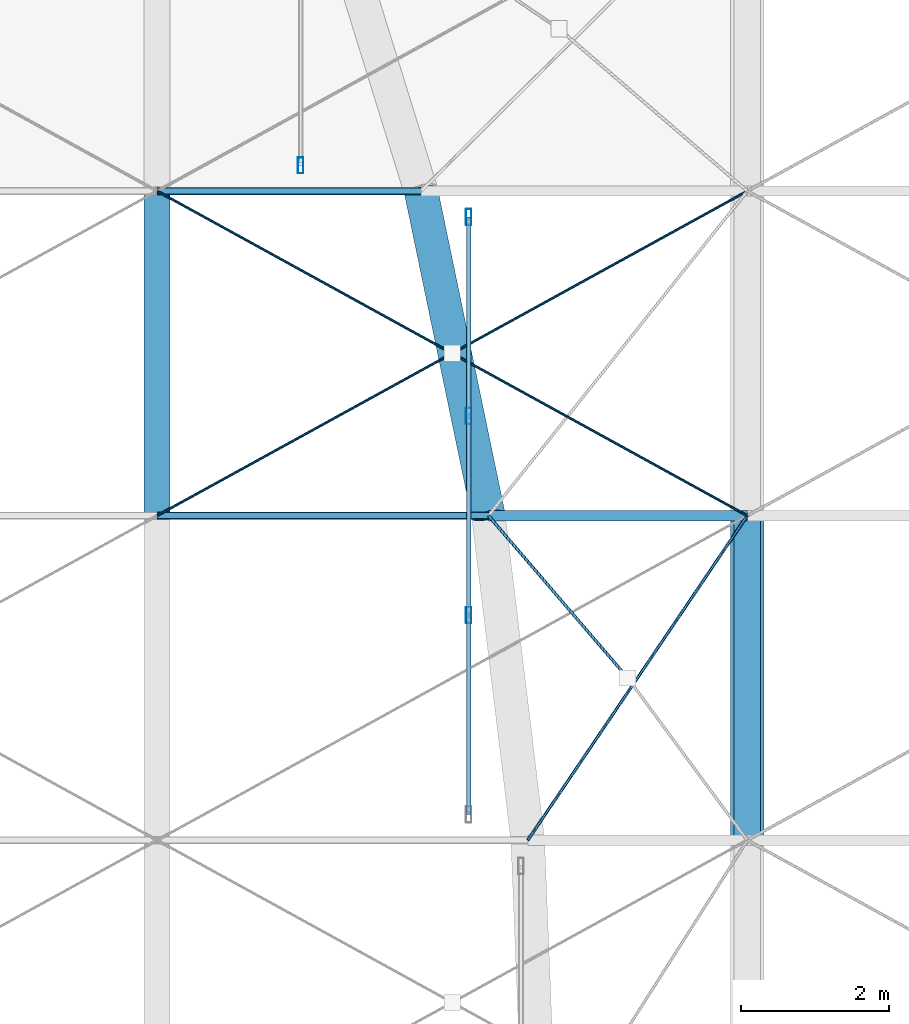
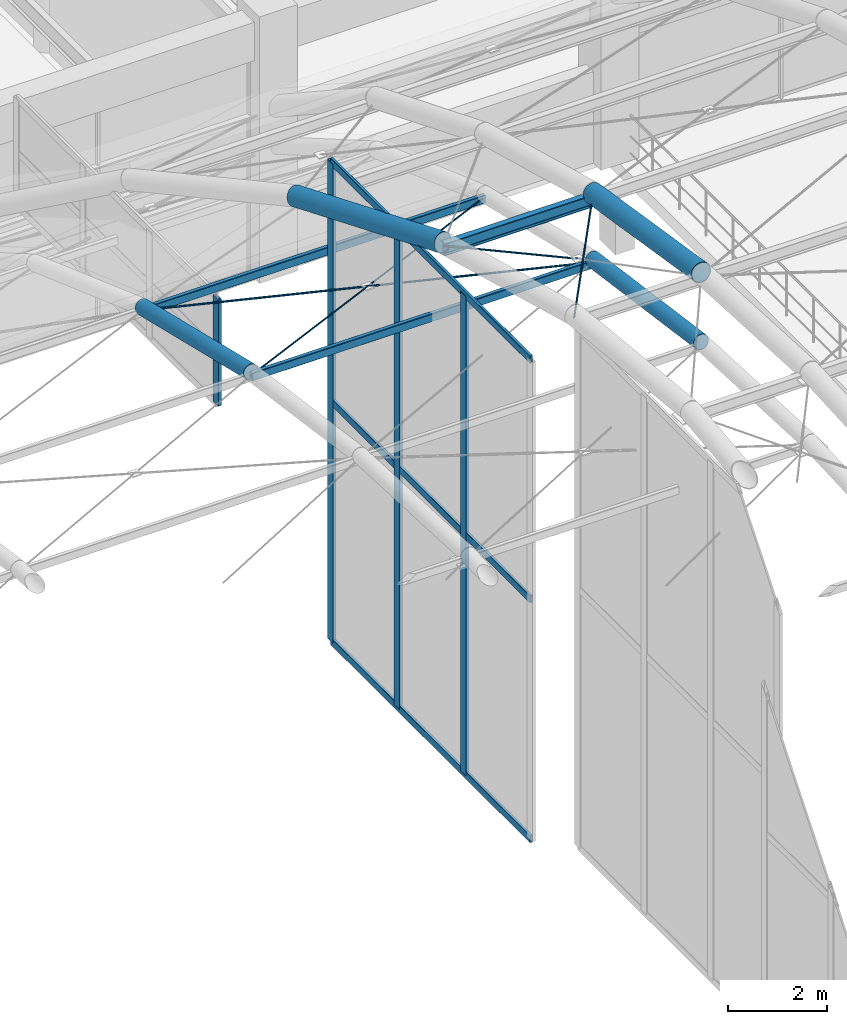
# One storey, part 58 of 163: 12 members, 7 beams, 2 elements without a shape of their own.
"""IFC4 building model written with IfcOpenShell, lengths in metres."""

import ifcopenshell
import ifcopenshell.guid

model = None  # the IFC model being written
_history = None  # IfcOwnerHistory: only IFC2X3 demands one
_inside = {}  # id of a spatial element -> (the spatial element, [elements in it])
_under = {}  # id of a project, library or spatial element -> (it, [spatial elements below it])
_declared = {}  # id of a project -> (the project, [libraries it declares])
_typed = {}  # id of a type object -> (the type object, [elements of that type])
_made_of = {}  # id of a material, layer set ... -> (it, [elements and type objects made of it])


def new_model(schema):
    """Start an empty IFC model of exactly this schema.

    Asked for "IFC4X3", IfcOpenShell would pick the latest addendum, in which some entities
    have other attributes; the version numbers below select the first issue.
    IFC2X3 requires an IfcOwnerHistory on every rooted entity: one is made here for all.
    """
    global model, _history
    if schema == "IFC4X3":
        model = ifcopenshell.file(schema_version=(4, 3, 0, 0))
    else:
        model = ifcopenshell.file(schema=schema)
    _inside.clear()
    _under.clear()
    _declared.clear()
    _typed.clear()
    _made_of.clear()
    _history = None
    if model.schema == "IFC2X3":
        org = make("IfcOrganization", Name="unknown")
        user = make(
            "IfcPersonAndOrganization",
            ThePerson=make("IfcPerson", FamilyName="unknown"),
            TheOrganization=org,
        )
        app = make(
            "IfcApplication",
            ApplicationDeveloper=org,
            Version="unknown",
            ApplicationFullName="unknown",
            ApplicationIdentifier="unknown",
        )
        _history = make(
            "IfcOwnerHistory",
            OwningUser=user,
            OwningApplication=app,
            ChangeAction="ADDED",
            CreationDate=0,
        )
    return model


def make(cls, **values):
    """One entity of the class cls with the attributes given. An attribute that is None is left unset."""
    return model.create_entity(
        cls, **{name: value for name, value in values.items() if value is not None}
    )


def rooted(cls, **values):
    """An entity with a GlobalId (a new one), such as an element, a storey or a relation."""
    return make(cls, GlobalId=ifcopenshell.guid.new(), OwnerHistory=_history, **values)


def si_unit(unit_type, name, prefix=None):
    """IfcSIUnit, for example si_unit("LENGTHUNIT", "METRE", prefix="MILLI")."""
    return make("IfcSIUnit", UnitType=unit_type, Prefix=prefix, Name=name)


def assignment(units):
    """IfcUnitAssignment: the units of a project."""
    return None if units is None else make("IfcUnitAssignment", Units=units)


def point(xyz):
    """IfcCartesianPoint."""
    return None if xyz is None else make("IfcCartesianPoint", Coordinates=xyz)


def direction(xyz):
    """IfcDirection."""
    return None if xyz is None else make("IfcDirection", DirectionRatios=xyz)


def frame(location, z_axis=None, x_axis=None):
    """IfcAxis2Placement3D, a coordinate frame: its origin and axes. An axis left out is left unset."""
    return make(
        "IfcAxis2Placement3D",
        Location=point(location),
        Axis=direction(z_axis),
        RefDirection=direction(x_axis),
    )


def frame_2d(location, x_axis=None):
    """IfcAxis2Placement2D, a coordinate frame in the plane: its origin and x axis."""
    return make(
        "IfcAxis2Placement2D", Location=point(location), RefDirection=direction(x_axis)
    )


def origin():
    """The frame at (0, 0, 0) with its axes left unset."""
    return frame((0.0, 0.0, 0.0))


def origin_2d():
    """The frame at (0, 0) in the plane with its x axis left unset."""
    return frame_2d((0.0, 0.0))


def place(relative_to, where):
    """IfcLocalPlacement: puts the frame where relative to a parent placement (None: the world)."""
    return make(
        "IfcLocalPlacement", PlacementRelTo=relative_to, RelativePlacement=where
    )


def context(
    kind, dimensions, precision=None, world=None, true_north=None, identifier=None
):
    """IfcGeometricRepresentationContext, for example the 3D "Model" context."""
    return make(
        "IfcGeometricRepresentationContext",
        ContextIdentifier=identifier,
        ContextType=kind,
        CoordinateSpaceDimension=dimensions,
        Precision=precision,
        WorldCoordinateSystem=world,
        TrueNorth=true_north,
    )


def subcontext(parent, identifier, kind, view, scale=None):
    """IfcGeometricRepresentationSubContext, for example "Body" below "Model"."""
    return make(
        "IfcGeometricRepresentationSubContext",
        ContextIdentifier=identifier,
        ContextType=kind,
        ParentContext=parent,
        TargetScale=scale,
        TargetView=view,
    )


def project(units=None, contexts=None):
    """IfcProject with its units and contexts."""
    return rooted(
        "IfcProject",
        Name="project",
        RepresentationContexts=contexts,
        UnitsInContext=assignment(units),
    )


def spatial(cls, under=None, at=None, **own):
    """A site, building, storey or space (cls), placed at a placement, below another one or the project."""
    s = rooted(cls, ObjectPlacement=at, **own)
    if under is not None:
        _under.setdefault(under.id(), (under, []))[1].append(s)
    return s


def profile(cls, at=None, kind="AREA", **sizes):
    """A parametric profile (cls). Its sizes go by their IFC names, for example OverallWidth=200.0."""
    return make(cls, ProfileType=kind, Position=at, **sizes)


def hollow_rectangle(**sizes):
    """IfcRectangleHollowProfileDef."""
    return profile("IfcRectangleHollowProfileDef", **sizes)


def circle(**sizes):
    """IfcCircleProfileDef."""
    return profile("IfcCircleProfileDef", **sizes)


def hollow_circle(**sizes):
    """IfcCircleHollowProfileDef."""
    return profile("IfcCircleHollowProfileDef", **sizes)


def i_section(**sizes):
    """IfcIShapeProfileDef."""
    return profile("IfcIShapeProfileDef", **sizes)


def extrude(swept, where, along, depth):
    """IfcExtrudedAreaSolid: the profile swept, set in the frame where, extruded along a direction by depth."""
    return make(
        "IfcExtrudedAreaSolid",
        SweptArea=swept,
        Position=where,
        ExtrudedDirection=direction(along),
        Depth=depth,
    )


def shape(context_of_items, identifier, shape_type, items):
    """IfcShapeRepresentation: the items that make up one representation, for example the "Body"."""
    return make(
        "IfcShapeRepresentation",
        ContextOfItems=context_of_items,
        RepresentationIdentifier=identifier,
        RepresentationType=shape_type,
        Items=items,
    )


def material(Name=None, Category=None):
    """IfcMaterial."""
    return make("IfcMaterial", Name=Name, Category=Category)


def material_profile(
    of_material, cross_section, Name=None, Category=None, Priority=None
):
    """IfcMaterialProfile: a cross section and its material."""
    return make(
        "IfcMaterialProfile",
        Name=Name,
        Material=of_material,
        Profile=cross_section,
        Priority=Priority,
        Category=Category,
    )


def profile_set(profiles, Name=None, composite=None):
    """IfcMaterialProfileSet."""
    return make(
        "IfcMaterialProfileSet",
        Name=Name,
        MaterialProfiles=profiles,
        CompositeProfile=composite,
    )


def made_of(thing, what):
    """Note that an element or type object is made of a material, layer set ...; save() writes the relation."""
    if what is not None:
        _made_of.setdefault(what.id(), (what, []))[1].append(thing)
    return thing


def type_object(cls, material=None, **own):
    """A type object (cls), such as IfcWallType, which elements share."""
    return made_of(rooted(cls, **own), material)


def element(
    cls,
    number,
    at=None,
    inside=None,
    cuts=None,
    type_object=None,
    material=None,
    context=None,
    identifier="Body",
    shape_type=None,
    held_by="IfcProductDefinitionShape",
    body=None,
    shapes=None,
    **own,
):
    """One element of the class cls, such as IfcWall. Its Tag is "e" and its number.

    at: its placement. inside: the storey or other place that contains it. cuts: it is an
    opening in that element (IfcRelVoidsElement). A single representation is given by context,
    identifier, shape_type and body (its items); several are given by shapes. held_by: the class
    of the entity that holds the representations. save() writes the other relations.
    """
    e = rooted(cls, Tag="e%d" % number, ObjectPlacement=at, **own)
    if body is not None:
        shapes = [shape(context, identifier, shape_type, body)]
    if shapes is not None:
        e.Representation = make(held_by, Representations=shapes)
    if inside is not None:
        _inside.setdefault(inside.id(), (inside, []))[1].append(e)
    if cuts is not None:
        rooted(
            "IfcRelVoidsElement", RelatingBuildingElement=cuts, RelatedOpeningElement=e
        )
    if type_object is not None:
        _typed.setdefault(type_object.id(), (type_object, []))[1].append(e)
    return made_of(e, material)


def aggregate(whole, parts):
    """IfcRelAggregates: a whole, such as a stair, and the parts it consists of."""
    return rooted("IfcRelAggregates", RelatingObject=whole, RelatedObjects=parts)


def save(model, path):
    """Write the relations noted so far, then the file.

    IfcRelAggregates (storeys below a building ...), IfcRelContainedInSpatialStructure (elements
    in a storey), IfcRelDefinesByType, IfcRelAssociatesMaterial and IfcRelDeclares: one each for
    every whole, place, type object, material and project.
    """
    for whole, parts in _under.values():
        aggregate(whole, parts)
    for where, things in _inside.values():
        rooted(
            "IfcRelContainedInSpatialStructure",
            RelatedElements=things,
            RelatingStructure=where,
        )
    for kind, things in _typed.values():
        rooted("IfcRelDefinesByType", RelatedObjects=things, RelatingType=kind)
    for what, things in _made_of.values():
        rooted("IfcRelAssociatesMaterial", RelatedObjects=things, RelatingMaterial=what)
    for by, libraries in _declared.values():
        rooted("IfcRelDeclares", RelatingContext=by, RelatedDefinitions=libraries)
    model.write(path)


model = new_model("IFC4")

# Units and contexts
model_context = context("Model", 3, precision=1e-05, world=origin(), true_north=direction((0.0, 1.0)))
body_context = subcontext(model_context, "Body", "Model", "MODEL_VIEW")
ifc_project = project(units=[si_unit("LENGTHUNIT", "METRE"), si_unit("AREAUNIT", "SQUARE_METRE"), si_unit("VOLUMEUNIT", "CUBIC_METRE"), si_unit("PLANEANGLEUNIT", "RADIAN"), si_unit("MASSUNIT", "GRAM", prefix="KILO")], contexts=[model_context])

# Site, building, storey
site_placement = place(None, origin())
site = spatial("IfcSite", under=ifc_project, at=site_placement, CompositionType="ELEMENT")
building_placement = place(site_placement, origin())
building = spatial("IfcBuilding", under=site, at=building_placement, Name="Varnabhumi Central Station", CompositionType="ELEMENT")
storey_placement = place(building_placement, frame((0.0, 0.0, 9.60009765625)))
storey = spatial("IfcBuildingStorey", under=building, at=storey_placement, Name="L02", CompositionType="ELEMENT", Elevation=9.60009765625)

# Beams
ifc_material_1 = material(Name="Structural steel E350", Category="steel")
ifc_material_profile_1 = material_profile(ifc_material_1, hollow_circle(Radius=0.177734375, WallThickness=0.012451171875, at=origin_2d()), Name="Structural steel E350", Category="steel")
ifc_profile_set_1 = profile_set([ifc_material_profile_1], Name="Structural steel E350")
beam_type_1 = type_object("IfcBeamType", Name="BM-ARCH-CHS355", PredefinedType="BEAM", material=ifc_profile_set_1)
beam_1_placement = place(storey_placement, frame((40.0, 66.800048828125, 8.182373046875), z_axis=(0.0, 0.972451917694, -0.2331035559), x_axis=(-1.0, 0.0, 0.0)))
element("IfcBeam", 1, at=beam_1_placement, inside=storey, type_object=beam_type_1, Name="Entrance Portico Vault Arch Rib 4 Seg 8", PredefinedType="BEAM", context=body_context, shape_type="SweptSolid", body=[
    extrude(hollow_circle(Radius=0.177734375, WallThickness=0.012451171875, at=origin_2d()), origin(), (0.0, 0.0, 1.0), 4.524658203125),
])
beam_2_placement = place(storey_placement, frame((48.0, 62.39990234375, 8.79736328125), z_axis=(0.0, 0.99037356126, -0.138420407303), x_axis=(-1.0, 0.0, 0.0)))
element("IfcBeam", 2, at=beam_2_placement, inside=storey, type_object=beam_type_1, Name="Entrance Portico Vault Arch Rib 5 Seg 7", PredefinedType="BEAM", context=body_context, shape_type="SweptSolid", body=[
    extrude(hollow_circle(Radius=0.177734375, WallThickness=0.012451171875, at=origin_2d()), origin(), (0.0, 0.0, 1.0), 4.44287109375),
])
ifc_material_2 = material(Name="Structural steel E450", Category="steel")
ifc_material_profile_2 = material_profile(ifc_material_2, hollow_circle(Radius=0.228515625, WallThickness=0.01611328125, at=origin_2d()), Name="Structural steel E450", Category="steel")
ifc_profile_set_2 = profile_set([ifc_material_profile_2], Name="Structural steel E450")
beam_type_2 = type_object("IfcBeamType", Name="BM-ARCH-CHS457", PredefinedType="BEAM", material=ifc_profile_set_2)
beam_3_placement = place(storey_placement, frame((44.491455078125, 66.800048828125, 9.8232421875), z_axis=(-0.196568385862, 0.946195365922, -0.257050966128), x_axis=(-0.979095067091, -0.20340317008, 0.0)))
element("IfcBeam", 3, at=beam_3_placement, inside=storey, type_object=beam_type_2, Name="Ticket Hall Vault Arch Rib 1 Seg 8", PredefinedType="BEAM", context=body_context, shape_type="SweptSolid", body=[
    extrude(hollow_circle(Radius=0.228515625, WallThickness=0.01611328125, at=origin_2d()), origin(), (0.0, 0.0, 1.0), 4.650146484375),
])
beam_4_placement = place(storey_placement, frame((48.0, 62.39990234375, 10.520263671875), z_axis=(0.0, 0.987684638155, -0.156457839535), x_axis=(-1.0, 0.0, 0.0)))
element("IfcBeam", 4, at=beam_4_placement, inside=storey, type_object=beam_type_2, Name="Ticket Hall Vault Arch Rib 2 Seg 7", PredefinedType="BEAM", context=body_context, shape_type="SweptSolid", body=[
    extrude(hollow_circle(Radius=0.228515625, WallThickness=0.01611328125, at=origin_2d()), origin(), (0.0, 0.0, 1.0), 4.455078125),
])
ifc_material_profile_3 = material_profile(ifc_material_1, i_section(OverallWidth=0.139892578125, OverallDepth=0.300048828125, WebThickness=0.0078125, FlangeThickness=0.01318359375, FilletRadius=0.013916015625, at=origin_2d()), Name="Structural steel E350", Category="steel")
ifc_profile_set_3 = profile_set([ifc_material_profile_3], Name="Structural steel E350")
beam_type_3 = type_object("IfcBeamType", Name="BM-PUR-ISMB300", PredefinedType="LINTEL", material=ifc_profile_set_3)
beam_5_placement = place(storey_placement, frame((44.491455078125, 66.800048828125, 9.67333984375), z_axis=(1.0, 0.0, 0.0), x_axis=(0.0, 1.0, 0.0)))
element("IfcBeam", 5, at=beam_5_placement, inside=storey, type_object=beam_type_3, Name="Ticket Hall Vault Purlin B1-L7", PredefinedType="LINTEL", context=body_context, shape_type="SweptSolid", body=[
    extrude(i_section(OverallWidth=0.139892578125, OverallDepth=0.300048828125, WebThickness=0.0078125, FlangeThickness=0.01318359375, FilletRadius=0.013916015625, at=origin_2d()), origin(), (0.0, 0.0, 1.0), 3.508544921875),
])
ifc_material_profile_4 = material_profile(ifc_material_1, hollow_rectangle(XDim=0.10009765625, YDim=0.199951171875, WallThickness=0.008056640625, InnerFilletRadius=0.008056640625, OuterFilletRadius=0.01611328125, at=origin_2d()), Name="Structural steel E350", Category="steel")
ifc_profile_set_4 = profile_set([ifc_material_profile_4], Name="Structural steel E350")
beam_type_4 = type_object("IfcBeamType", Name="BM-PUR-RHS200", PredefinedType="JOIST", material=ifc_profile_set_4)
for number, where, z_axis, x_axis, name in (
    (6, (40.0, 66.800048828125, 8.082275390625), (1.0, 0.0, 0.0), (0.0, 1.0, 0.0), "Entrance Portico Vault Purlin B4-L7"),
    (7, (40.0, 71.199951171875, 7.027587890625), (1.0, 0.0, 0.0), (0.0, 1.0, 0.0), "Entrance Portico Vault Purlin B4-L8"),
):
    element("IfcBeam", number, at=place(storey_placement, frame(where, z_axis=z_axis, x_axis=x_axis)), inside=storey, type_object=beam_type_4, Name=name, PredefinedType="JOIST", context=body_context, shape_type="SweptSolid", body=[
        extrude(hollow_rectangle(XDim=0.10009765625, YDim=0.199951171875, WallThickness=0.008056640625, InnerFilletRadius=0.008056640625, OuterFilletRadius=0.01611328125, at=origin_2d()), origin(), (0.0, 0.0, 1.0), 8.0),
    ])

# Curtain wall, members
ifc_material_3 = material(Name="Anodised aluminium 6063-T6", Category="aluminium")
curtain_wall_type = type_object("IfcCurtainWallType", Name="CW-VAULT-ARCH-V3", PredefinedType="NOTDEFINED", material=ifc_material_3)
curtain_wall_1_placement = place(storey_placement, origin())
curtain_wall_1 = element("IfcCurtainWall", 8, at=curtain_wall_1_placement, inside=storey, type_object=curtain_wall_type, Name="Curtain Wall CW-V34", PredefinedType="NOTDEFINED")
ifc_material_profile_5 = material_profile(ifc_material_3, hollow_rectangle(XDim=0.074951171875, YDim=0.219970703125, WallThickness=0.0048828125, InnerFilletRadius=0.0009765625, OuterFilletRadius=0.006103515625, at=origin_2d()), Name="Anodised aluminium 6063-T6", Category="aluminium")
ifc_profile_set_5 = profile_set([ifc_material_profile_5], Name="Anodised aluminium 6063-T6")
member_type_1 = type_object("IfcMemberType", Name="CW-MUL-220", PredefinedType="MULLION", material=ifc_profile_set_5)
member_1_placement = place(storey_placement, frame((44.22412109375, 65.449951171875, -2.400146484375), z_axis=(0.0, 0.0, 1.0), x_axis=(1.0, 0.0, 0.0)))
member_1 = element("IfcMember", 9, at=member_1_placement, type_object=member_type_1, Name="Curtain Wall Mullion CW-V34-M2", PredefinedType="MULLION", context=body_context, shape_type="SweptSolid", body=[
    extrude(hollow_rectangle(XDim=0.074951171875, YDim=0.219970703125, WallThickness=0.0048828125, InnerFilletRadius=0.0009765625, OuterFilletRadius=0.006103515625, at=origin_2d()), origin(), (0.0, 0.0, 1.0), 11.87353515625),
])
member_2_placement = place(storey_placement, frame((44.22412109375, 68.14990234375, -2.400146484375), z_axis=(0.0, 0.0, 1.0), x_axis=(1.0, 0.0, 0.0)))
member_2 = element("IfcMember", 10, at=member_2_placement, type_object=member_type_1, Name="Curtain Wall Mullion CW-V34-M3", PredefinedType="MULLION", context=body_context, shape_type="SweptSolid", body=[
    extrude(hollow_rectangle(XDim=0.074951171875, YDim=0.219970703125, WallThickness=0.0048828125, InnerFilletRadius=0.0009765625, OuterFilletRadius=0.006103515625, at=origin_2d()), origin(), (0.0, 0.0, 1.0), 11.87353515625),
])
member_3_placement = place(storey_placement, frame((44.22412109375, 70.85009765625, -2.400146484375), z_axis=(0.0, 0.0, 1.0), x_axis=(1.0, 0.0, 0.0)))
member_3 = element("IfcMember", 11, at=member_3_placement, type_object=member_type_1, Name="Curtain Wall Mullion CW-V34-M4", PredefinedType="MULLION", context=body_context, shape_type="SweptSolid", body=[
    extrude(hollow_rectangle(XDim=0.074951171875, YDim=0.219970703125, WallThickness=0.0048828125, InnerFilletRadius=0.0009765625, OuterFilletRadius=0.006103515625, at=origin_2d()), origin(), (0.0, 0.0, 1.0), 11.87353515625),
])

# Curtain wall, member
curtain_wall_2_placement = place(storey_placement, origin())
curtain_wall_2 = element("IfcCurtainWall", 12, at=curtain_wall_2_placement, inside=storey, type_object=curtain_wall_type, Name="Curtain Wall CW-V35", PredefinedType="NOTDEFINED")
member_4_placement = place(storey_placement, frame((41.946044921875, 71.550048828125, 3.849853515625), z_axis=(0.0, 0.0, 1.0), x_axis=(1.0, 0.0, 0.0)))
member_4 = element("IfcMember", 13, at=member_4_placement, type_object=member_type_1, Name="Curtain Wall Mullion CW-V35-M1", PredefinedType="MULLION", context=body_context, shape_type="SweptSolid", body=[
    extrude(hollow_rectangle(XDim=0.074951171875, YDim=0.219970703125, WallThickness=0.0048828125, InnerFilletRadius=0.0009765625, OuterFilletRadius=0.006103515625, at=origin_2d()), origin(), (0.0, 0.0, 1.0), 2.645263671875),
])
aggregate(curtain_wall_2, [member_4])

# Member
ifc_material_profile_6 = material_profile(ifc_material_3, hollow_rectangle(XDim=0.06494140625, YDim=0.179931640625, WallThickness=0.00390625, InnerFilletRadius=0.001953125, OuterFilletRadius=0.006103515625, at=origin_2d()), Name="Anodised aluminium 6063-T6", Category="aluminium")
ifc_profile_set_6 = profile_set([ifc_material_profile_6], Name="Anodised aluminium 6063-T6")
member_type_2 = type_object("IfcMemberType", Name="CW-TR-180", PredefinedType="USERDEFINED", material=ifc_profile_set_6)
member_5_placement = place(storey_placement, frame((44.22412109375, 62.75, -2.400146484375), z_axis=(0.0, 1.0, 0.0), x_axis=(-1.0, 0.0, 0.0)))
member_5 = element("IfcMember", 14, at=member_5_placement, type_object=member_type_2, Name="Curtain Wall Transom CW-V34-T1", ObjectType="TRANSOM", PredefinedType="USERDEFINED", context=body_context, shape_type="SweptSolid", body=[
    extrude(hollow_rectangle(XDim=0.06494140625, YDim=0.179931640625, WallThickness=0.00390625, InnerFilletRadius=0.001953125, OuterFilletRadius=0.006103515625, at=origin_2d()), origin(), (0.0, 0.0, 1.0), 8.10009765625),
])

member_6_placement = place(storey_placement, frame((44.22412109375, 62.75, 3.53662109375), z_axis=(0.0, 1.0, 0.0), x_axis=(-1.0, 0.0, 0.0)))
member_6 = element("IfcMember", 15, at=member_6_placement, type_object=member_type_2, Name="Curtain Wall Transom CW-V34-T2", ObjectType="TRANSOM", PredefinedType="USERDEFINED", context=body_context, shape_type="SweptSolid", body=[
    extrude(hollow_rectangle(XDim=0.06494140625, YDim=0.179931640625, WallThickness=0.00390625, InnerFilletRadius=0.001953125, OuterFilletRadius=0.006103515625, at=origin_2d()), origin(), (0.0, 0.0, 1.0), 8.10009765625),
])

member_7_placement = place(storey_placement, frame((44.22412109375, 62.75, 9.473388671875), z_axis=(0.0, 1.0, 0.0), x_axis=(-1.0, 0.0, 0.0)))
member_7 = element("IfcMember", 16, at=member_7_placement, type_object=member_type_2, Name="Curtain Wall Transom CW-V34-T3", ObjectType="TRANSOM", PredefinedType="USERDEFINED", context=body_context, shape_type="SweptSolid", body=[
    extrude(hollow_rectangle(XDim=0.06494140625, YDim=0.179931640625, WallThickness=0.00390625, InnerFilletRadius=0.001953125, OuterFilletRadius=0.006103515625, at=origin_2d()), origin(), (0.0, 0.0, 1.0), 8.10009765625),
])

aggregate(curtain_wall_1, [member_1, member_2, member_3, member_5, member_6, member_7])

# Members
ifc_material_4 = material(Name="Spiral-strand steel S1570", Category="steel")
ifc_material_profile_7 = material_profile(ifc_material_4, circle(Radius=0.01806640625, at=origin_2d()), Name="Spiral-strand steel S1570", Category="steel")
ifc_profile_set_7 = profile_set([ifc_material_profile_7], Name="Spiral-strand steel S1570")
member_type_3 = type_object("IfcMemberType", Name="MBR-CABLE-D36", PredefinedType="USERDEFINED", material=ifc_profile_set_7)
member_8_placement = place(storey_placement, frame((40.0, 66.800048828125, 8.102294921875), z_axis=(0.870432037619, 0.478726995299, -0.114754223709), x_axis=(-0.481910537812, 0.876220425204, 0.0)))
element("IfcMember", 17, at=member_8_placement, inside=storey, type_object=member_type_3, Name="Entrance Portico Vault Cable-Net Tie B4-P8A", ObjectType="TENSION CABLE", PredefinedType="USERDEFINED", context=body_context, shape_type="SweptSolid", body=[
    extrude(circle(Radius=0.01806640625, at=origin_2d()), origin(), (0.0, 0.0, 1.0), 9.19091796875),
])
for number, where, z_axis, x_axis, name in (
    (18, (40.0, 71.199951171875, 7.047607421875), (0.870432037619, -0.478726995299, 0.114754223709), (0.481910537812, 0.876220425204, 0.0), "Entrance Portico Vault Cable-Net Split Tie B4-P8B1"),
    (19, (44.0, 69.0, 7.574951171875), (0.870432037619, -0.478726995299, 0.114754223709), (0.481910537812, 0.876220425204, 0.0), "Entrance Portico Vault Cable-Net Split Tie B4-P8B2"),
):
    element("IfcMember", number, at=place(storey_placement, frame(where, z_axis=z_axis, x_axis=x_axis)), inside=storey, type_object=member_type_3, Name=name, ObjectType="TENSION CABLE", PredefinedType="USERDEFINED", context=body_context, shape_type="SweptSolid", body=[
        extrude(circle(Radius=0.01806640625, at=origin_2d()), origin(), (0.0, 0.0, 1.0), 4.595458984375),
    ])
ifc_material_profile_8 = material_profile(ifc_material_4, circle(Radius=0.02099609375, at=origin_2d()), Name="Spiral-strand steel S1570", Category="steel")
ifc_profile_set_8 = profile_set([ifc_material_profile_8], Name="Spiral-strand steel S1570")
member_type_4 = type_object("IfcMemberType", Name="MBR-CABLE-D42", PredefinedType="USERDEFINED", material=ifc_profile_set_8)
member_9_placement = place(storey_placement, frame((45.0244140625, 62.39990234375, 10.440185546875), z_axis=(0.555424130978, 0.821333205827, -0.130060754005), x_axis=(-0.828369353295, 0.56018230472, 0.0)))
element("IfcMember", 20, at=member_9_placement, inside=storey, type_object=member_type_4, Name="Ticket Hall Vault Cable-Net Tie B1-P7A", ObjectType="TENSION CABLE", PredefinedType="USERDEFINED", context=body_context, shape_type="SweptSolid", body=[
    extrude(circle(Radius=0.02099609375, at=origin_2d()), origin(), (0.0, 0.0, 1.0), 5.357421875),
])
member_10_placement = place(storey_placement, frame((44.491455078125, 66.800048828125, 9.743408203125), z_axis=(0.646492343807, -0.753530269052, 0.119330561973), x_axis=(0.758953309225, 0.651145048676, 0.0)))
element("IfcMember", 21, at=member_10_placement, inside=storey, type_object=member_type_4, Name="Ticket Hall Vault Cable-Net Split Tie B1-P7B1", ObjectType="TENSION CABLE", PredefinedType="USERDEFINED", context=body_context, shape_type="SweptSolid", body=[
    extrude(circle(Radius=0.02099609375, at=origin_2d()), origin(), (0.0, 0.0, 1.0), 2.91943359375),
])

save(model, "model.ifc")
